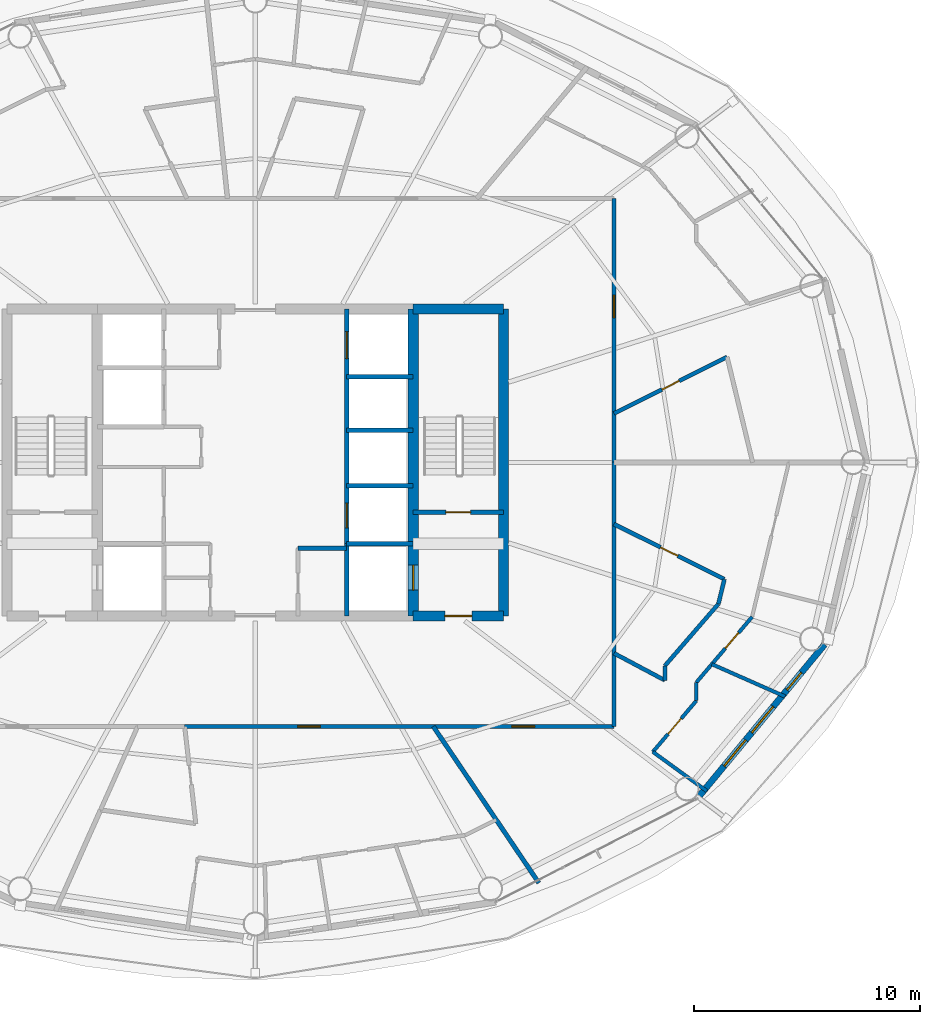
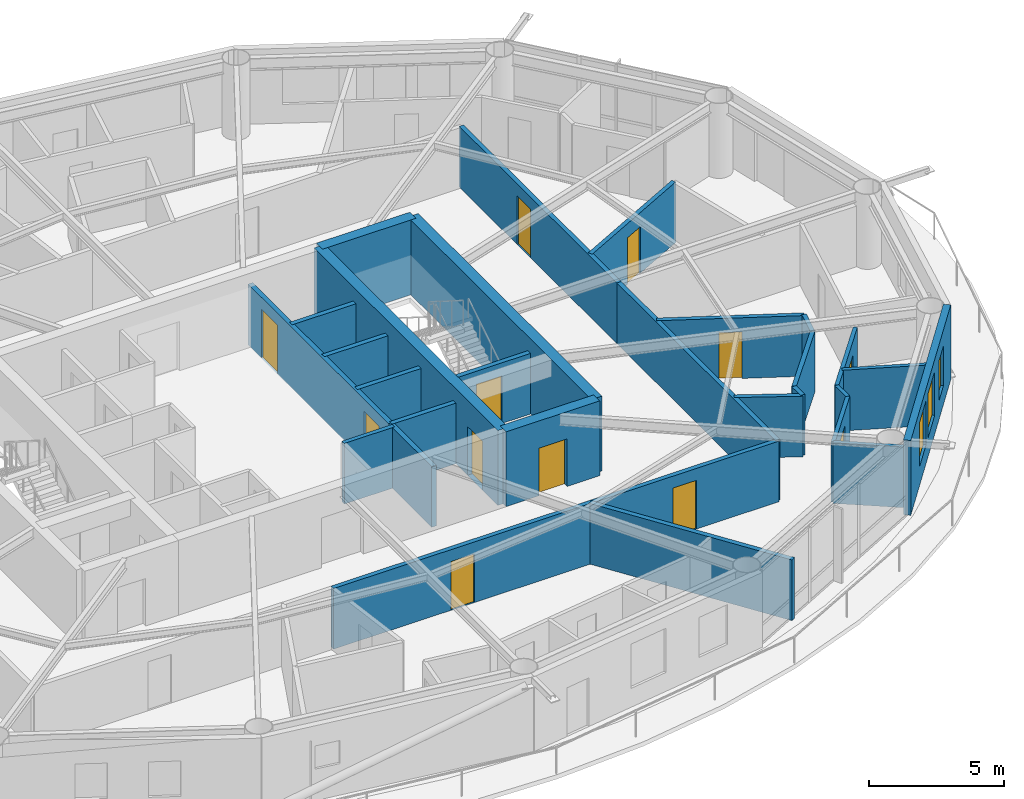
# One storey, part 23 of 29: 28 walls, 12 doors, 3 windows, 15 openings.
"""IFC4 building model written with IfcOpenShell, lengths in metres."""

import ifcopenshell
import ifcopenshell.guid

model = None  # the IFC model being written
_history = None  # IfcOwnerHistory: only IFC2X3 demands one
_inside = {}  # id of a spatial element -> (the spatial element, [elements in it])
_under = {}  # id of a project, library or spatial element -> (it, [spatial elements below it])
_declared = {}  # id of a project -> (the project, [libraries it declares])
_typed = {}  # id of a type object -> (the type object, [elements of that type])
_made_of = {}  # id of a material, layer set ... -> (it, [elements and type objects made of it])


def new_model(schema):
    """Start an empty IFC model of exactly this schema.

    Asked for "IFC4X3", IfcOpenShell would pick the latest addendum, in which some entities
    have other attributes; the version numbers below select the first issue.
    IFC2X3 requires an IfcOwnerHistory on every rooted entity: one is made here for all.
    """
    global model, _history
    if schema == "IFC4X3":
        model = ifcopenshell.file(schema_version=(4, 3, 0, 0))
    else:
        model = ifcopenshell.file(schema=schema)
    _inside.clear()
    _under.clear()
    _declared.clear()
    _typed.clear()
    _made_of.clear()
    _history = None
    if model.schema == "IFC2X3":
        org = make("IfcOrganization", Name="unknown")
        user = make(
            "IfcPersonAndOrganization",
            ThePerson=make("IfcPerson", FamilyName="unknown"),
            TheOrganization=org,
        )
        app = make(
            "IfcApplication",
            ApplicationDeveloper=org,
            Version="unknown",
            ApplicationFullName="unknown",
            ApplicationIdentifier="unknown",
        )
        _history = make(
            "IfcOwnerHistory",
            OwningUser=user,
            OwningApplication=app,
            ChangeAction="ADDED",
            CreationDate=0,
        )
    return model


def make(cls, **values):
    """One entity of the class cls with the attributes given. An attribute that is None is left unset."""
    return model.create_entity(
        cls, **{name: value for name, value in values.items() if value is not None}
    )


def rooted(cls, **values):
    """An entity with a GlobalId (a new one), such as an element, a storey or a relation."""
    return make(cls, GlobalId=ifcopenshell.guid.new(), OwnerHistory=_history, **values)


def si_unit(unit_type, name, prefix=None):
    """IfcSIUnit, for example si_unit("LENGTHUNIT", "METRE", prefix="MILLI")."""
    return make("IfcSIUnit", UnitType=unit_type, Prefix=prefix, Name=name)


def assignment(units):
    """IfcUnitAssignment: the units of a project."""
    return None if units is None else make("IfcUnitAssignment", Units=units)


def point(xyz):
    """IfcCartesianPoint."""
    return None if xyz is None else make("IfcCartesianPoint", Coordinates=xyz)


def direction(xyz):
    """IfcDirection."""
    return None if xyz is None else make("IfcDirection", DirectionRatios=xyz)


def frame(location, z_axis=None, x_axis=None):
    """IfcAxis2Placement3D, a coordinate frame: its origin and axes. An axis left out is left unset."""
    return make(
        "IfcAxis2Placement3D",
        Location=point(location),
        Axis=direction(z_axis),
        RefDirection=direction(x_axis),
    )


def frame_2d(location, x_axis=None):
    """IfcAxis2Placement2D, a coordinate frame in the plane: its origin and x axis."""
    return make(
        "IfcAxis2Placement2D", Location=point(location), RefDirection=direction(x_axis)
    )


def origin():
    """The frame at (0, 0, 0) with its axes left unset."""
    return frame((0.0, 0.0, 0.0))


def place(relative_to, where):
    """IfcLocalPlacement: puts the frame where relative to a parent placement (None: the world)."""
    return make(
        "IfcLocalPlacement", PlacementRelTo=relative_to, RelativePlacement=where
    )


def context(
    kind, dimensions, precision=None, world=None, true_north=None, identifier=None
):
    """IfcGeometricRepresentationContext, for example the 3D "Model" context."""
    return make(
        "IfcGeometricRepresentationContext",
        ContextIdentifier=identifier,
        ContextType=kind,
        CoordinateSpaceDimension=dimensions,
        Precision=precision,
        WorldCoordinateSystem=world,
        TrueNorth=true_north,
    )


def subcontext(parent, identifier, kind, view, scale=None):
    """IfcGeometricRepresentationSubContext, for example "Body" below "Model"."""
    return make(
        "IfcGeometricRepresentationSubContext",
        ContextIdentifier=identifier,
        ContextType=kind,
        ParentContext=parent,
        TargetScale=scale,
        TargetView=view,
    )


def project(units=None, contexts=None):
    """IfcProject with its units and contexts."""
    return rooted(
        "IfcProject",
        Name="project",
        RepresentationContexts=contexts,
        UnitsInContext=assignment(units),
    )


def spatial(cls, under=None, at=None, **own):
    """A site, building, storey or space (cls), placed at a placement, below another one or the project."""
    s = rooted(cls, ObjectPlacement=at, **own)
    if under is not None:
        _under.setdefault(under.id(), (under, []))[1].append(s)
    return s


def profile(cls, at=None, kind="AREA", **sizes):
    """A parametric profile (cls). Its sizes go by their IFC names, for example OverallWidth=200.0."""
    return make(cls, ProfileType=kind, Position=at, **sizes)


def rectangle(**sizes):
    """IfcRectangleProfileDef."""
    return profile("IfcRectangleProfileDef", **sizes)


def extrude(swept, where, along, depth):
    """IfcExtrudedAreaSolid: the profile swept, set in the frame where, extruded along a direction by depth."""
    return make(
        "IfcExtrudedAreaSolid",
        SweptArea=swept,
        Position=where,
        ExtrudedDirection=direction(along),
        Depth=depth,
    )


def shape(context_of_items, identifier, shape_type, items):
    """IfcShapeRepresentation: the items that make up one representation, for example the "Body"."""
    return make(
        "IfcShapeRepresentation",
        ContextOfItems=context_of_items,
        RepresentationIdentifier=identifier,
        RepresentationType=shape_type,
        Items=items,
    )


def material(Name=None, Category=None):
    """IfcMaterial."""
    return make("IfcMaterial", Name=Name, Category=Category)


def layer(
    of_material, thickness, ventilated=None, Name=None, Category=None, Priority=None
):
    """IfcMaterialLayer: one layer of a wall or slab, of a material (None: an air gap)."""
    return make(
        "IfcMaterialLayer",
        Material=of_material,
        LayerThickness=thickness,
        IsVentilated=ventilated,
        Name=Name,
        Category=Category,
        Priority=Priority,
    )


def layer_set(layers, Name=None):
    """IfcMaterialLayerSet."""
    return make("IfcMaterialLayerSet", MaterialLayers=layers, LayerSetName=Name)


def made_of(thing, what):
    """Note that an element or type object is made of a material, layer set ...; save() writes the relation."""
    if what is not None:
        _made_of.setdefault(what.id(), (what, []))[1].append(thing)
    return thing


def type_object(cls, material=None, **own):
    """A type object (cls), such as IfcWallType, which elements share."""
    return made_of(rooted(cls, **own), material)


def element(
    cls,
    number,
    at=None,
    inside=None,
    cuts=None,
    type_object=None,
    material=None,
    context=None,
    identifier="Body",
    shape_type=None,
    held_by="IfcProductDefinitionShape",
    body=None,
    shapes=None,
    **own,
):
    """One element of the class cls, such as IfcWall. Its Tag is "e" and its number.

    at: its placement. inside: the storey or other place that contains it. cuts: it is an
    opening in that element (IfcRelVoidsElement). A single representation is given by context,
    identifier, shape_type and body (its items); several are given by shapes. held_by: the class
    of the entity that holds the representations. save() writes the other relations.
    """
    e = rooted(cls, Tag="e%d" % number, ObjectPlacement=at, **own)
    if body is not None:
        shapes = [shape(context, identifier, shape_type, body)]
    if shapes is not None:
        e.Representation = make(held_by, Representations=shapes)
    if inside is not None:
        _inside.setdefault(inside.id(), (inside, []))[1].append(e)
    if cuts is not None:
        rooted(
            "IfcRelVoidsElement", RelatingBuildingElement=cuts, RelatedOpeningElement=e
        )
    if type_object is not None:
        _typed.setdefault(type_object.id(), (type_object, []))[1].append(e)
    return made_of(e, material)


def fill(opening, filler):
    """IfcRelFillsElement: the door or window that sits in an opening."""
    return rooted(
        "IfcRelFillsElement",
        RelatingOpeningElement=opening,
        RelatedBuildingElement=filler,
    )


def aggregate(whole, parts):
    """IfcRelAggregates: a whole, such as a stair, and the parts it consists of."""
    return rooted("IfcRelAggregates", RelatingObject=whole, RelatedObjects=parts)


def save(model, path):
    """Write the relations noted so far, then the file.

    IfcRelAggregates (storeys below a building ...), IfcRelContainedInSpatialStructure (elements
    in a storey), IfcRelDefinesByType, IfcRelAssociatesMaterial and IfcRelDeclares: one each for
    every whole, place, type object, material and project.
    """
    for whole, parts in _under.values():
        aggregate(whole, parts)
    for where, things in _inside.values():
        rooted(
            "IfcRelContainedInSpatialStructure",
            RelatedElements=things,
            RelatingStructure=where,
        )
    for kind, things in _typed.values():
        rooted("IfcRelDefinesByType", RelatedObjects=things, RelatingType=kind)
    for what, things in _made_of.values():
        rooted("IfcRelAssociatesMaterial", RelatedObjects=things, RelatingMaterial=what)
    for by, libraries in _declared.values():
        rooted("IfcRelDeclares", RelatingContext=by, RelatedDefinitions=libraries)
    model.write(path)


model = new_model("IFC4")

# Units and contexts
model_context = context("Model", 3, precision=1e-05, world=origin(), true_north=direction((0.0, 1.0)))
body_context = subcontext(model_context, "Body", "Model", "MODEL_VIEW")
ifc_project = project(units=[si_unit("LENGTHUNIT", "METRE"), si_unit("AREAUNIT", "SQUARE_METRE"), si_unit("VOLUMEUNIT", "CUBIC_METRE"), si_unit("PLANEANGLEUNIT", "RADIAN"), si_unit("MASSUNIT", "GRAM", prefix="KILO")], contexts=[model_context])

# Site, building, storey
site_placement = place(None, origin())
site = spatial("IfcSite", under=ifc_project, at=site_placement, CompositionType="ELEMENT")
building_placement = place(site_placement, origin())
building = spatial("IfcBuilding", under=site, at=building_placement, Name="Sarneth Arch Tower", CompositionType="ELEMENT")
storey_placement = place(building_placement, frame((0.0, 0.0, 175.800048828125)))
storey = spatial("IfcBuildingStorey", under=building, at=storey_placement, Name="L44", CompositionType="ELEMENT", Elevation=175.800048828125)

# Wall, opening, door
ifc_material_1 = material(Name="Concrete C50/60", Category="concrete")
ifc_layer_1 = layer(ifc_material_1, 0.449951171875)
ifc_layer_set_1 = layer_set([ifc_layer_1], Name="Concrete C50/60")
wall_type_1 = type_object("IfcWallType", Name="WALL-CORE-450", PredefinedType="SHEAR", material=ifc_layer_set_1)
wall_1_placement = place(storey_placement, frame((55.0, 35.199951171875, 0.0), z_axis=(0.0, 0.0, 1.0), x_axis=(1.0, 0.0, 0.0)))
wall_1 = element("IfcWall", 1, at=wall_1_placement, inside=storey, type_object=wall_type_1, Name="L44 Core shear wall S-E", PredefinedType="SHEAR", context=body_context, shape_type="SweptSolid", body=[
    extrude(rectangle(XDim=4.0, YDim=0.449951171875, at=frame_2d((2.0, 0.0))), origin(), (0.0, 0.0, 1.0), 3.3798828125),
])
opening_1_placement = place(wall_1_placement, frame((1.39990234375, 0.0, 0.0)))
opening_1 = element("IfcOpeningElement", 2, at=opening_1_placement, cuts=wall_1, Name="Opening FD-02", PredefinedType="OPENING", context=body_context, shape_type="SweptSolid", body=[
    extrude(rectangle(XDim=1.199951171875, YDim=2.14990234375, at=frame_2d((0.60009765625, 1.074951171875))), frame((0.0, 0.23486328125, 0.0), z_axis=(0.0, -1.0, 0.0), x_axis=(1.0, 0.0, 0.0)), (0.0, 0.0, 1.0), 0.469970703125),
])
ifc_material_2 = material(Name="Galvanised Steel S275 fire door set", Category="steel")
door_type_1 = type_object("IfcDoorType", Name="DR-FD90-1200", OperationType="SINGLE_SWING_LEFT", PredefinedType="DOOR", material=ifc_material_2)
door_1_placement = place(opening_1_placement, origin())
door_1 = element("IfcDoor", 3, at=door_1_placement, inside=storey, type_object=door_type_1, Name="L44 Firefighting lobby 2 exit door", OperationType="SINGLE_SWING_RIGHT", OverallHeight=2.14990234375, OverallWidth=1.199951171875, PredefinedType="DOOR", context=body_context, shape_type="SweptSolid", body=[
    extrude(rectangle(XDim=1.199951171875, YDim=2.14990234375, at=frame_2d((0.60009765625, 1.074951171875))), frame((0.0, 0.02490234375, 0.0), z_axis=(0.0, -1.0, 0.0), x_axis=(1.0, 0.0, 0.0)), (0.0, 0.0, 1.0), 0.050048828125),
])
fill(opening_1, door_1)

# Walls
wall_2_placement = place(storey_placement, frame((55.0, 48.800048828125, 0.0), z_axis=(0.0, 0.0, 1.0), x_axis=(1.0, 0.0, 0.0)))
element("IfcWall", 4, at=wall_2_placement, inside=storey, type_object=wall_type_1, Name="L44 Core shear wall N-E", PredefinedType="SHEAR", context=body_context, shape_type="SweptSolid", body=[
    extrude(rectangle(XDim=4.0, YDim=0.449951171875, at=frame_2d((2.0, 0.0))), origin(), (0.0, 0.0, 1.0), 3.3798828125),
])
wall_3_placement = place(storey_placement, frame((59.0, 35.199951171875, 0.0), z_axis=(0.0, 0.0, 1.0), x_axis=(0.0, 1.0, 0.0)))
element("IfcWall", 5, at=wall_3_placement, inside=storey, type_object=wall_type_1, Name="L44 Core shear wall E", PredefinedType="SHEAR", context=body_context, shape_type="SweptSolid", body=[
    extrude(rectangle(XDim=13.60009765625, YDim=0.449951171875, at=frame_2d((6.800048828125, 0.0))), origin(), (0.0, 0.0, 1.0), 3.3798828125),
])

# Wall, opening, door
wall_4_placement = place(storey_placement, frame((55.0, 35.199951171875, 0.0), z_axis=(0.0, 0.0, 1.0), x_axis=(0.0, 1.0, 0.0)))
wall_4 = element("IfcWall", 6, at=wall_4_placement, inside=storey, type_object=wall_type_1, Name="L44 Core shear wall WEB-E", PredefinedType="SHEAR", context=body_context, shape_type="SweptSolid", body=[
    extrude(rectangle(XDim=13.60009765625, YDim=0.449951171875, at=frame_2d((6.800048828125, 0.0))), origin(), (0.0, 0.0, 1.0), 3.3798828125),
])
opening_2_placement = place(wall_4_placement, frame((1.14990234375, 0.0, 0.0)))
opening_2 = element("IfcOpeningElement", 7, at=opening_2_placement, cuts=wall_4, Name="Opening LD-1", PredefinedType="OPENING", context=body_context, shape_type="SweptSolid", body=[
    extrude(rectangle(XDim=1.10009765625, YDim=2.199951171875, at=frame_2d((0.550048828125, 1.10009765625))), frame((0.0, 0.23486328125, 0.0), z_axis=(0.0, -1.0, 0.0), x_axis=(1.0, 0.0, 0.0)), (0.0, 0.0, 1.0), 0.469970703125),
])
ifc_material_3 = material(Name="Brushed Stainless Steel 304 lift landing door", Category="steel")
door_type_2 = type_object("IfcDoorType", Name="DR-LIFT-SLIDE-1100", OperationType="SLIDING_TO_LEFT", PredefinedType="DOOR", material=ifc_material_3)
door_2_placement = place(opening_2_placement, origin())
door_2 = element("IfcDoor", 8, at=door_2_placement, inside=storey, type_object=door_type_2, Name="L44 Firefighting lift landing door FL-2", OperationType="SLIDING_TO_RIGHT", OverallHeight=2.199951171875, OverallWidth=1.10009765625, PredefinedType="DOOR", context=body_context, shape_type="SweptSolid", body=[
    extrude(rectangle(XDim=1.10009765625, YDim=2.199951171875, at=frame_2d((0.550048828125, 1.10009765625))), frame((0.0, 0.02490234375, 0.0), z_axis=(0.0, -1.0, 0.0), x_axis=(1.0, 0.0, 0.0)), (0.0, 0.0, 1.0), 0.050048828125),
])
fill(opening_2, door_2)

# Wall, openings, doors
ifc_material_4 = material(Name="Double steel-stud corridor fire wall", Category="steel")
ifc_layer_2 = layer(ifc_material_4, 0.18994140625)
ifc_layer_set_2 = layer_set([ifc_layer_2], Name="Double steel-stud corridor fire wall")
wall_type_2 = type_object("IfcWallType", Name="WALL-CORR-190", PredefinedType="PARTITIONING", material=ifc_layer_set_2)
wall_5_placement = place(storey_placement, frame((44.872802734375, 30.300048828125, 0.0), z_axis=(0.0, 0.0, 1.0), x_axis=(1.0, 0.0, 0.0)))
wall_5 = element("IfcWall", 9, at=wall_5_placement, inside=storey, type_object=wall_type_2, Name="L44 Interior partition W-L44-TP-015", PredefinedType="PARTITIONING", context=body_context, shape_type="SweptSolid", body=[
    extrude(rectangle(XDim=19.027099609375, YDim=0.18994140625, at=frame_2d((9.513671875, 0.0))), origin(), (0.0, 0.0, 1.0), 2.739990234375),
])
opening_3_placement = place(wall_5_placement, frame((5.009521484375, 0.0, 0.0)))
opening_3 = element("IfcOpeningElement", 10, at=opening_3_placement, cuts=wall_5, Name="Opening FD-08", PredefinedType="OPENING", context=body_context, shape_type="SweptSolid", body=[
    extrude(rectangle(XDim=1.0, YDim=2.199951171875, at=frame_2d((0.5, 1.10009765625))), frame((0.0, 0.10498046875, 0.0), z_axis=(0.0, -1.0, 0.0), x_axis=(1.0, 0.0, 0.0)), (0.0, 0.0, 1.0), 0.2099609375),
])
opening_4_placement = place(wall_5_placement, frame((14.503662109375, 0.0, 0.0)))
opening_4 = element("IfcOpeningElement", 11, at=opening_4_placement, cuts=wall_5, Name="Opening FD-08", PredefinedType="OPENING", context=body_context, shape_type="SweptSolid", body=[
    extrude(rectangle(XDim=1.0, YDim=2.199951171875, at=frame_2d((0.5, 1.10009765625))), frame((0.0, 0.10498046875, 0.0), z_axis=(0.0, -1.0, 0.0), x_axis=(1.0, 0.0, 0.0)), (0.0, 0.0, 1.0), 0.2099609375),
])
ifc_material_5 = material(Name="Hardwood timber acoustic fire door", Category="wood")
door_type_3 = type_object("IfcDoorType", Name="DR-FD60-1000", OperationType="SINGLE_SWING_LEFT", PredefinedType="DOOR", material=ifc_material_5)
door_3_placement = place(opening_3_placement, origin())
door_3 = element("IfcDoor", 12, at=door_3_placement, inside=storey, type_object=door_type_3, Name="L44 Interior door DR-L44-U6-ENT", OperationType="SINGLE_SWING_LEFT", OverallHeight=2.199951171875, OverallWidth=1.0, PredefinedType="DOOR", context=body_context, shape_type="SweptSolid", body=[
    extrude(rectangle(XDim=1.0, YDim=2.199951171875, at=frame_2d((0.5, 1.10009765625))), frame((0.0, 0.02490234375, 0.0), z_axis=(0.0, -1.0, 0.0), x_axis=(1.0, 0.0, 0.0)), (0.0, 0.0, 1.0), 0.050048828125),
])
fill(opening_3, door_3)
door_4_placement = place(opening_4_placement, origin())
door_4 = element("IfcDoor", 13, at=door_4_placement, inside=storey, type_object=door_type_3, Name="L44 Interior door DR-L44-U7-ENT", OperationType="SINGLE_SWING_LEFT", OverallHeight=2.199951171875, OverallWidth=1.0, PredefinedType="DOOR", context=body_context, shape_type="SweptSolid", body=[
    extrude(rectangle(XDim=1.0, YDim=2.199951171875, at=frame_2d((0.5, 1.10009765625))), frame((0.0, 0.02490234375, 0.0), z_axis=(0.0, -1.0, 0.0), x_axis=(1.0, 0.0, 0.0)), (0.0, 0.0, 1.0), 0.050048828125),
])
fill(opening_4, door_4)

# Wall, opening, door
wall_6_placement = place(storey_placement, frame((63.89990234375, 53.699951171875, 0.0), z_axis=(0.0, 0.0, 1.0), x_axis=(0.0, -1.0, 0.0)))
wall_6 = element("IfcWall", 14, at=wall_6_placement, inside=storey, type_object=wall_type_2, Name="L44 Interior partition W-L44-TP-002", PredefinedType="PARTITIONING", context=body_context, shape_type="SweptSolid", body=[
    extrude(rectangle(XDim=11.73193359375, YDim=0.18994140625, at=frame_2d((5.865966796875, 0.0))), origin(), (0.0, 0.0, 1.0), 2.739990234375),
])
opening_5_placement = place(wall_6_placement, frame((4.280517578125, 0.0, 0.0)))
opening_5 = element("IfcOpeningElement", 15, at=opening_5_placement, cuts=wall_6, Name="Opening FD-08", PredefinedType="OPENING", context=body_context, shape_type="SweptSolid", body=[
    extrude(rectangle(XDim=1.0, YDim=2.199951171875, at=frame_2d((0.5, 1.10009765625))), frame((0.0, 0.10498046875, 0.0), z_axis=(0.0, -1.0, 0.0), x_axis=(1.0, 0.0, 0.0)), (0.0, 0.0, 1.0), 0.2099609375),
])
door_5_placement = place(opening_5_placement, origin())
door_5 = element("IfcDoor", 16, at=door_5_placement, inside=storey, type_object=door_type_3, Name="L44 Interior door DR-L44-U1-ENT", OperationType="SINGLE_SWING_LEFT", OverallHeight=2.199951171875, OverallWidth=1.0, PredefinedType="DOOR", context=body_context, shape_type="SweptSolid", body=[
    extrude(rectangle(XDim=1.0, YDim=2.199951171875, at=frame_2d((0.5, 1.10009765625))), frame((0.0, 0.02490234375, 0.0), z_axis=(0.0, -1.0, 0.0), x_axis=(1.0, 0.0, 0.0)), (0.0, 0.0, 1.0), 0.050048828125),
])
fill(opening_5, door_5)

# Wall
wall_7_placement = place(storey_placement, frame((63.89990234375, 42.031982421875, 0.0), z_axis=(0.0, 0.0, 1.0), x_axis=(0.0, -1.0, 0.0)))
element("IfcWall", 17, at=wall_7_placement, inside=storey, type_object=wall_type_2, Name="L44 Interior partition W-L44-TP-020", PredefinedType="PARTITIONING", context=body_context, shape_type="SweptSolid", body=[
    extrude(rectangle(XDim=11.73193359375, YDim=0.18994140625, at=frame_2d((5.865966796875, 0.0))), origin(), (0.0, 0.0, 1.0), 2.739990234375),
])

# Wall, openings, windows
ifc_material_6 = material(Name="Extruded terracotta rainscreen on Concrete C40/50 backing", Category="masonry")
ifc_layer_3 = layer(ifc_material_6, 0.280029296875)
ifc_layer_set_3 = layer_set([ifc_layer_3], Name="Extruded terracotta rainscreen on Concrete C40/50 backing")
wall_type_3 = type_object("IfcWallType", Name="WALL-EXT-TERRA-280", PredefinedType="SOLIDWALL", material=ifc_layer_set_3)
wall_8_placement = place(storey_placement, frame((67.576171875, 27.09423828125, 0.0), z_axis=(0.0, 0.0, 1.0), x_axis=(0.637333477683, 0.770588111915, 0.0)))
wall_8 = element("IfcWall", 18, at=wall_8_placement, inside=storey, type_object=wall_type_3, Name="L44 Terracotta perimeter wall 15", PredefinedType="SOLIDWALL", context=body_context, shape_type="SweptSolid", body=[
    extrude(rectangle(XDim=8.874755859375, YDim=0.280029296875, at=frame_2d((4.4375, 0.0))), origin(), (0.0, 0.0, 1.0), 3.3798828125),
])
opening_6_placement = place(wall_8_placement, frame((1.885009765625, 0.0, 0.85009765625)))
opening_6 = element("IfcOpeningElement", 19, at=opening_6_placement, cuts=wall_8, Name="Opening W-06", PredefinedType="OPENING", context=body_context, shape_type="SweptSolid", body=[
    extrude(rectangle(XDim=1.5, YDim=2.0, at=frame_2d((0.75, 1.0))), frame((0.0, 0.14990234375, 0.0), z_axis=(0.0, -1.0, 0.0), x_axis=(1.0, 0.0, 0.0)), (0.0, 0.0, 1.0), 0.300048828125),
])
opening_7_placement = place(wall_8_placement, frame((3.80859375, 0.0, 0.85009765625)))
opening_7 = element("IfcOpeningElement", 20, at=opening_7_placement, cuts=wall_8, Name="Opening W-06", PredefinedType="OPENING", context=body_context, shape_type="SweptSolid", body=[
    extrude(rectangle(XDim=1.5, YDim=2.0, at=frame_2d((0.75, 1.0))), frame((0.0, 0.14990234375, 0.0), z_axis=(0.0, -1.0, 0.0), x_axis=(1.0, 0.0, 0.0)), (0.0, 0.0, 1.0), 0.300048828125),
])
opening_8_placement = place(wall_8_placement, frame((6.2646484375, 0.0, 0.85009765625)))
opening_8 = element("IfcOpeningElement", 21, at=opening_8_placement, cuts=wall_8, Name="Opening W-11", PredefinedType="OPENING", context=body_context, shape_type="SweptSolid", body=[
    extrude(rectangle(XDim=1.0, YDim=1.800048828125, at=frame_2d((0.5, 0.89990234375))), frame((0.0, 0.14990234375, 0.0), z_axis=(0.0, -1.0, 0.0), x_axis=(1.0, 0.0, 0.0)), (0.0, 0.0, 1.0), 0.300048828125),
])
ifc_material_7 = material(Name="Thermally broken Aluminium 6063-T6 and low-e laminated IGU", Category="aluminium")
window_type_1 = type_object("IfcWindowType", Name="WIN-TWR-1000x1800", PartitioningType="SINGLE_PANEL", PredefinedType="WINDOW", material=ifc_material_7)
window_1_placement = place(opening_8_placement, origin())
window_1 = element("IfcWindow", 22, at=window_1_placement, inside=storey, type_object=window_type_1, Name="L44 Exterior window 15C", OverallHeight=1.800048828125, OverallWidth=1.0, PartitioningType="SINGLE_PANEL", PredefinedType="WINDOW", context=body_context, shape_type="SweptSolid", body=[
    extrude(rectangle(XDim=1.0, YDim=1.800048828125, at=frame_2d((0.5, 0.89990234375))), frame((0.0, 0.030029296875, 0.0), z_axis=(0.0, -1.0, 0.0), x_axis=(1.0, 0.0, 0.0)), (0.0, 0.0, 1.0), 0.06005859375),
])
fill(opening_8, window_1)
ifc_material_8 = material(Name="Thermally broken Aluminium 6063-T6 and low-e laminated IGU", Category="aluminium")
window_type_2 = type_object("IfcWindowType", Name="WIN-TWR-1500x2000", PartitioningType="SINGLE_PANEL", PredefinedType="WINDOW", material=ifc_material_8)
window_2_placement = place(opening_6_placement, origin())
window_2 = element("IfcWindow", 23, at=window_2_placement, inside=storey, type_object=window_type_2, Name="L44 Exterior window 15A", OverallHeight=2.0, OverallWidth=1.5, PartitioningType="SINGLE_PANEL", PredefinedType="WINDOW", context=body_context, shape_type="SweptSolid", body=[
    extrude(rectangle(XDim=1.5, YDim=2.0, at=frame_2d((0.75, 1.0))), frame((0.0, 0.030029296875, 0.0), z_axis=(0.0, -1.0, 0.0), x_axis=(1.0, 0.0, 0.0)), (0.0, 0.0, 1.0), 0.06005859375),
])
fill(opening_6, window_2)
window_3_placement = place(opening_7_placement, origin())
window_3 = element("IfcWindow", 24, at=window_3_placement, inside=storey, type_object=window_type_2, Name="L44 Exterior window 15B", OverallHeight=2.0, OverallWidth=1.5, PartitioningType="SINGLE_PANEL", PredefinedType="WINDOW", context=body_context, shape_type="SweptSolid", body=[
    extrude(rectangle(XDim=1.5, YDim=2.0, at=frame_2d((0.75, 1.0))), frame((0.0, 0.030029296875, 0.0), z_axis=(0.0, -1.0, 0.0), x_axis=(1.0, 0.0, 0.0)), (0.0, 0.0, 1.0), 0.06005859375),
])
fill(opening_7, window_3)

# Wall
ifc_material_9 = material(Name="Kitchen wet service chase wall", Category="gypsum")
ifc_layer_4 = layer(ifc_material_9, 0.159912109375)
ifc_layer_set_4 = layer_set([ifc_layer_4], Name="Kitchen wet service chase wall")
wall_type_4 = type_object("IfcWallType", Name="WALL-PLUMB-160", PredefinedType="PLUMBINGWALL", material=ifc_layer_set_4)
wall_9_placement = place(storey_placement, frame((71.477783203125, 31.63037109375, 0.0), z_axis=(0.0, 0.0, 1.0), x_axis=(-0.914752340799, 0.40401504304, 0.0)))
element("IfcWall", 25, at=wall_9_placement, inside=storey, type_object=wall_type_4, Name="L44 Interior partition W-L44-TP-111", PredefinedType="PLUMBINGWALL", context=body_context, shape_type="SweptSolid", body=[
    extrude(rectangle(XDim=3.54345703125, YDim=0.159912109375, at=frame_2d((1.771728515625, 0.0))), origin(), (0.0, 0.0, 1.0), 2.739990234375),
])

# Wall, opening, door
wall_10_placement = place(storey_placement, frame((67.550048828125, 31.443359375, 0.0), z_axis=(0.0, 0.0, 1.0), x_axis=(-0.647915118337, -0.761712543832, 0.0)))
wall_10 = element("IfcWall", 26, at=wall_10_placement, inside=storey, type_object=wall_type_4, Name="L44 Interior partition W-L44-TP-101", PredefinedType="PLUMBINGWALL", context=body_context, shape_type="SweptSolid", body=[
    extrude(rectangle(XDim=2.9755859375, YDim=0.159912109375, at=frame_2d((1.48779296875, 0.0))), origin(), (0.0, 0.0, 1.0), 2.739990234375),
])
opening_9_placement = place(wall_10_placement, frame((1.037841796875, 0.0, 0.0)))
opening_9 = element("IfcOpeningElement", 27, at=opening_9_placement, cuts=wall_10, Name="Opening ID-01", PredefinedType="OPENING", context=body_context, shape_type="SweptSolid", body=[
    extrude(rectangle(XDim=0.89990234375, YDim=2.10009765625, at=frame_2d((0.449951171875, 1.050048828125))), frame((0.0, 0.08984375, 0.0), z_axis=(0.0, -1.0, 0.0), x_axis=(1.0, 0.0, 0.0)), (0.0, 0.0, 1.0), 0.179931640625),
])
ifc_material_10 = material(Name="Engineered hardwood flush door", Category="wood")
door_type_4 = type_object("IfcDoorType", Name="DR-INT-900", OperationType="SINGLE_SWING_LEFT", PredefinedType="DOOR", material=ifc_material_10)
door_6_placement = place(opening_9_placement, origin())
door_6 = element("IfcDoor", 28, at=door_6_placement, inside=storey, type_object=door_type_4, Name="L44 Interior door DR-L44-U7-KIT", OperationType="SINGLE_SWING_LEFT", OverallHeight=2.10009765625, OverallWidth=0.89990234375, PredefinedType="DOOR", context=body_context, shape_type="SweptSolid", body=[
    extrude(rectangle(XDim=0.89990234375, YDim=2.10009765625, at=frame_2d((0.449951171875, 1.050048828125))), frame((0.0, 0.02490234375, 0.0), z_axis=(0.0, -1.0, 0.0), x_axis=(1.0, 0.0, 0.0)), (0.0, 0.0, 1.0), 0.050048828125),
])
fill(opening_9, door_6)

# Wall
wall_11_placement = place(storey_placement, frame((65.6220703125, 29.1767578125, 0.0), z_axis=(0.0, 0.0, 1.0), x_axis=(0.808600464561, -0.588358129638, 0.0)))
element("IfcWall", 29, at=wall_11_placement, inside=storey, type_object=wall_type_4, Name="L44 Interior partition W-L44-TP-102", PredefinedType="PLUMBINGWALL", context=body_context, shape_type="SweptSolid", body=[
    extrude(rectangle(XDim=2.95849609375, YDim=0.159912109375, at=frame_2d((1.479248046875, 0.0))), origin(), (0.0, 0.0, 1.0), 2.739990234375),
])

# Wall, opening, door
wall_12_placement = place(storey_placement, frame((67.550048828125, 32.255615234375, 0.0), z_axis=(0.0, 0.0, 1.0), x_axis=(0.648059335437, 0.761589848773, 0.0)))
wall_12 = element("IfcWall", 30, at=wall_12_placement, inside=storey, type_object=wall_type_4, Name="L44 Interior partition W-L44-TP-108", PredefinedType="PLUMBINGWALL", context=body_context, shape_type="SweptSolid", body=[
    extrude(rectangle(XDim=3.810546875, YDim=0.159912109375, at=frame_2d((1.9052734375, 0.0))), origin(), (0.0, 0.0, 1.0), 2.739990234375),
])
opening_10_placement = place(wall_12_placement, frame((1.98486328125, 0.0, 0.0)))
opening_10 = element("IfcOpeningElement", 31, at=opening_10_placement, cuts=wall_12, Name="Opening ID-01", PredefinedType="OPENING", context=body_context, shape_type="SweptSolid", body=[
    extrude(rectangle(XDim=0.89990234375, YDim=2.10009765625, at=frame_2d((0.449951171875, 1.050048828125))), frame((0.0, 0.08984375, 0.0), z_axis=(0.0, -1.0, 0.0), x_axis=(1.0, 0.0, 0.0)), (0.0, 0.0, 1.0), 0.179931640625),
])
door_7_placement = place(opening_10_placement, origin())
door_7 = element("IfcDoor", 32, at=door_7_placement, inside=storey, type_object=door_type_4, Name="L44 Interior door DR-L44-U7-BED1", OperationType="SINGLE_SWING_RIGHT", OverallHeight=2.10009765625, OverallWidth=0.89990234375, PredefinedType="DOOR", context=body_context, shape_type="SweptSolid", body=[
    extrude(rectangle(XDim=0.89990234375, YDim=2.10009765625, at=frame_2d((0.449951171875, 1.050048828125))), frame((0.0, 0.02490234375, 0.0), z_axis=(0.0, -1.0, 0.0), x_axis=(1.0, 0.0, 0.0)), (0.0, 0.0, 1.0), 0.050048828125),
])
fill(opening_10, door_7)

# Walls
wall_13_placement = place(storey_placement, frame((67.550048828125, 32.255615234375, 0.0), z_axis=(0.0, 0.0, 1.0), x_axis=(0.0, -1.0, 0.0)))
element("IfcWall", 33, at=wall_13_placement, inside=storey, type_object=wall_type_4, Name="L44 Interior partition W-L44-TP-100", PredefinedType="PLUMBINGWALL", context=body_context, shape_type="SweptSolid", body=[
    extrude(rectangle(XDim=0.812255859375, YDim=0.159912109375, at=frame_2d((0.40625, 0.0))), origin(), (0.0, 0.0, 1.0), 2.739990234375),
])
ifc_material_11 = material(Name="Moisture-resistant plumbing chase wall", Category="gypsum")
ifc_layer_5 = layer(ifc_material_11, 0.179931640625)
ifc_layer_set_5 = layer_set([ifc_layer_5], Name="Moisture-resistant plumbing chase wall")
wall_type_5 = type_object("IfcWallType", Name="WALL-PLUMB-180", PredefinedType="PLUMBINGWALL", material=ifc_layer_set_5)
wall_14_placement = place(storey_placement, frame((49.89990234375, 38.199951171875, 0.0), z_axis=(0.0, 0.0, 1.0), x_axis=(1.0, 0.0, 0.0)))
element("IfcWall", 34, at=wall_14_placement, inside=storey, type_object=wall_type_5, Name="L44 Interior partition W-L44-AWC-N", PredefinedType="PLUMBINGWALL", context=body_context, shape_type="SweptSolid", body=[
    extrude(rectangle(XDim=2.150146484375, YDim=0.179931640625, at=frame_2d((1.0751953125, 0.0))), origin(), (0.0, 0.0, 1.0), 2.739990234375),
])

# Wall, opening, door
wall_15_placement = place(storey_placement, frame((63.89990234375, 44.174560546875, 0.0), z_axis=(0.0, 0.0, 1.0), x_axis=(0.894853920946, 0.446359115699, 0.0)))
wall_15 = element("IfcWall", 35, at=wall_15_placement, inside=storey, type_object=wall_type_5, Name="L44 Interior partition W-L44-TP-025", PredefinedType="PLUMBINGWALL", context=body_context, shape_type="SweptSolid", body=[
    extrude(rectangle(XDim=5.601318359375, YDim=0.179931640625, at=frame_2d((2.80078125, 0.0))), origin(), (0.0, 0.0, 1.0), 2.739990234375),
])
opening_11_placement = place(wall_15_placement, frame((2.37548828125, 0.0, 0.0)))
opening_11 = element("IfcOpeningElement", 36, at=opening_11_placement, cuts=wall_15, Name="Opening ID-02", PredefinedType="OPENING", context=body_context, shape_type="SweptSolid", body=[
    extrude(rectangle(XDim=0.85009765625, YDim=2.10009765625, at=frame_2d((0.425048828125, 1.050048828125))), frame((0.0, 0.099853515625, 0.0), z_axis=(0.0, -1.0, 0.0), x_axis=(1.0, 0.0, 0.0)), (0.0, 0.0, 1.0), 0.199951171875),
])
ifc_material_12 = material(Name="Moisture-resistant bathroom timber door", Category="wood")
door_type_5 = type_object("IfcDoorType", Name="DR-INT-850", OperationType="SINGLE_SWING_RIGHT", PredefinedType="DOOR", material=ifc_material_12)
door_8_placement = place(opening_11_placement, origin())
door_8 = element("IfcDoor", 37, at=door_8_placement, inside=storey, type_object=door_type_5, Name="L44 Interior door DR-L44-U1-BATH", OperationType="SINGLE_SWING_LEFT", OverallHeight=2.10009765625, OverallWidth=0.85009765625, PredefinedType="DOOR", context=body_context, shape_type="SweptSolid", body=[
    extrude(rectangle(XDim=0.85009765625, YDim=2.10009765625, at=frame_2d((0.425048828125, 1.050048828125))), frame((0.0, 0.02490234375, 0.0), z_axis=(0.0, -1.0, 0.0), x_axis=(1.0, 0.0, 0.0)), (0.0, 0.0, 1.0), 0.050048828125),
])
fill(opening_11, door_8)

wall_16_placement = place(storey_placement, frame((68.7919921875, 36.828369140625, 0.0), z_axis=(0.0, 0.0, 1.0), x_axis=(-0.894873333185, 0.44632019622, 0.0)))
wall_16 = element("IfcWall", 38, at=wall_16_placement, inside=storey, type_object=wall_type_5, Name="L44 Interior partition W-L44-TP-107", PredefinedType="PLUMBINGWALL", context=body_context, shape_type="SweptSolid", body=[
    extrude(rectangle(XDim=5.466796875, YDim=0.179931640625, at=frame_2d((2.7333984375, 0.0))), origin(), (0.0, 0.0, 1.0), 2.739990234375),
])
opening_12_placement = place(wall_16_placement, frame((2.308349609375, 0.0, 0.0)))
opening_12 = element("IfcOpeningElement", 39, at=opening_12_placement, cuts=wall_16, Name="Opening ID-02", PredefinedType="OPENING", context=body_context, shape_type="SweptSolid", body=[
    extrude(rectangle(XDim=0.85009765625, YDim=2.10009765625, at=frame_2d((0.425048828125, 1.050048828125))), frame((0.0, 0.099853515625, 0.0), z_axis=(0.0, -1.0, 0.0), x_axis=(1.0, 0.0, 0.0)), (0.0, 0.0, 1.0), 0.199951171875),
])
door_9_placement = place(opening_12_placement, origin())
door_9 = element("IfcDoor", 40, at=door_9_placement, inside=storey, type_object=door_type_5, Name="L44 Interior door DR-L44-U7-BATH", OperationType="SINGLE_SWING_LEFT", OverallHeight=2.10009765625, OverallWidth=0.85009765625, PredefinedType="DOOR", context=body_context, shape_type="SweptSolid", body=[
    extrude(rectangle(XDim=0.85009765625, YDim=2.10009765625, at=frame_2d((0.425048828125, 1.050048828125))), frame((0.0, 0.02490234375, 0.0), z_axis=(0.0, -1.0, 0.0), x_axis=(1.0, 0.0, 0.0)), (0.0, 0.0, 1.0), 0.050048828125),
])
fill(opening_12, door_9)

# Walls
wall_17_placement = place(storey_placement, frame((66.14990234375, 32.9873046875, 0.0), z_axis=(0.0, 0.0, 1.0), x_axis=(0.654577130551, 0.755995224958, 0.0)))
element("IfcWall", 41, at=wall_17_placement, inside=storey, type_object=wall_type_5, Name="L44 Interior partition W-L44-TP-105", PredefinedType="PLUMBINGWALL", context=body_context, shape_type="SweptSolid", body=[
    extrude(rectangle(XDim=3.630126953125, YDim=0.179931640625, at=frame_2d((1.81494140625, 0.0))), origin(), (0.0, 0.0, 1.0), 2.739990234375),
])
wall_18_placement = place(storey_placement, frame((63.89990234375, 33.5458984375, 0.0), z_axis=(0.0, 0.0, 1.0), x_axis=(0.882956890564, -0.469454075929, 0.0)))
element("IfcWall", 42, at=wall_18_placement, inside=storey, type_object=wall_type_5, Name="L44 Interior partition W-L44-TP-103", PredefinedType="PLUMBINGWALL", context=body_context, shape_type="SweptSolid", body=[
    extrude(rectangle(XDim=2.54833984375, YDim=0.179931640625, at=frame_2d((1.274169921875, 0.0))), origin(), (0.0, 0.0, 1.0), 2.739990234375),
])
wall_19_placement = place(storey_placement, frame((68.526123046875, 35.731689453125, 0.0), z_axis=(0.0, 0.0, 1.0), x_axis=(0.235606217796, 0.971848604535, 0.0)))
element("IfcWall", 43, at=wall_19_placement, inside=storey, type_object=wall_type_5, Name="L44 Interior partition W-L44-TP-106", PredefinedType="PLUMBINGWALL", context=body_context, shape_type="SweptSolid", body=[
    extrude(rectangle(XDim=1.12841796875, YDim=0.179931640625, at=frame_2d((0.564208984375, 0.0))), origin(), (0.0, 0.0, 1.0), 2.739990234375),
])
wall_20_placement = place(storey_placement, frame((66.14990234375, 32.349609375, 0.0), z_axis=(0.0, 0.0, 1.0), x_axis=(0.0, 1.0, 0.0)))
element("IfcWall", 44, at=wall_20_placement, inside=storey, type_object=wall_type_5, Name="L44 Interior partition W-L44-TP-104", PredefinedType="PLUMBINGWALL", context=body_context, shape_type="SweptSolid", body=[
    extrude(rectangle(XDim=0.6376953125, YDim=0.179931640625, at=frame_2d((0.31884765625, 0.0))), origin(), (0.0, 0.0, 1.0), 2.739990234375),
])

# Wall, opening, door
ifc_material_13 = material(Name="Aerated concrete blockwork C25/30", Category="masonry")
ifc_layer_6 = layer(ifc_material_13, 0.199951171875)
ifc_layer_set_6 = layer_set([ifc_layer_6], Name="Aerated concrete blockwork C25/30")
wall_type_6 = type_object("IfcWallType", Name="WALL-SHAFT-200", PredefinedType="SOLIDWALL", material=ifc_layer_set_6)
wall_21_placement = place(storey_placement, frame((55.0, 39.800048828125, 0.0), z_axis=(0.0, 0.0, 1.0), x_axis=(1.0, 0.0, 0.0)))
wall_21 = element("IfcWall", 45, at=wall_21_placement, inside=storey, type_object=wall_type_6, Name="L44 Interior partition W-L44-ST2-S", PredefinedType="SOLIDWALL", context=body_context, shape_type="SweptSolid", body=[
    extrude(rectangle(XDim=4.0, YDim=0.199951171875, at=frame_2d((2.0, 0.0))), origin(), (0.0, 0.0, 1.0), 2.739990234375),
])
opening_13_placement = place(wall_21_placement, frame((1.449951171875, 0.0, 0.0)))
opening_13 = element("IfcOpeningElement", 46, at=opening_13_placement, cuts=wall_21, Name="Opening FD-03", PredefinedType="OPENING", context=body_context, shape_type="SweptSolid", body=[
    extrude(rectangle(XDim=1.10009765625, YDim=2.14990234375, at=frame_2d((0.550048828125, 1.074951171875))), frame((0.0, 0.10986328125, 0.0), z_axis=(0.0, -1.0, 0.0), x_axis=(1.0, 0.0, 0.0)), (0.0, 0.0, 1.0), 0.219970703125),
])
ifc_material_14 = material(Name="Galvanised Steel S275 fire door set", Category="steel")
door_type_6 = type_object("IfcDoorType", Name="DR-FD90-1100", OperationType="SINGLE_SWING_LEFT", PredefinedType="DOOR", material=ifc_material_14)
door_10_placement = place(opening_13_placement, origin())
door_10 = element("IfcDoor", 47, at=door_10_placement, inside=storey, type_object=door_type_6, Name="L44 Interior door DR-L44-ST2", OperationType="SINGLE_SWING_RIGHT", OverallHeight=2.14990234375, OverallWidth=1.10009765625, PredefinedType="DOOR", context=body_context, shape_type="SweptSolid", body=[
    extrude(rectangle(XDim=1.10009765625, YDim=2.14990234375, at=frame_2d((0.550048828125, 1.074951171875))), frame((0.0, 0.02490234375, 0.0), z_axis=(0.0, -1.0, 0.0), x_axis=(1.0, 0.0, 0.0)), (0.0, 0.0, 1.0), 0.050048828125),
])
fill(opening_13, door_10)

# Walls
wall_22_placement = place(storey_placement, frame((52.050048828125, 35.199951171875, 0.0), z_axis=(0.0, 0.0, 1.0), x_axis=(0.0, 1.0, 0.0)))
element("IfcWall", 48, at=wall_22_placement, inside=storey, type_object=wall_type_6, Name="L44 Interior partition W-L44-FL2-W", PredefinedType="SOLIDWALL", context=body_context, shape_type="SweptSolid", body=[
    extrude(rectangle(XDim=3.199951171875, YDim=0.199951171875, at=frame_2d((1.60009765625, 0.0))), origin(), (0.0, 0.0, 1.0), 2.739990234375),
])
wall_23_placement = place(storey_placement, frame((52.050048828125, 38.39990234375, 0.0), z_axis=(0.0, 0.0, 1.0), x_axis=(1.0, 0.0, 0.0)))
element("IfcWall", 49, at=wall_23_placement, inside=storey, type_object=wall_type_6, Name="L44 Interior partition W-L44-FL2-N", PredefinedType="SOLIDWALL", context=body_context, shape_type="SweptSolid", body=[
    extrude(rectangle(XDim=2.949951171875, YDim=0.199951171875, at=frame_2d((1.47509765625, 0.0))), origin(), (0.0, 0.0, 1.0), 2.739990234375),
])

# Wall, openings, doors
wall_24_placement = place(storey_placement, frame((52.050048828125, 38.39990234375, 0.0), z_axis=(0.0, 0.0, 1.0), x_axis=(0.0, 1.0, 0.0)))
wall_24 = element("IfcWall", 50, at=wall_24_placement, inside=storey, type_object=wall_type_6, Name="L44 Interior partition W-L44-EASTBANK-FRONT", PredefinedType="SOLIDWALL", context=body_context, shape_type="SweptSolid", body=[
    extrude(rectangle(XDim=10.400146484375, YDim=0.199951171875, at=frame_2d((5.2001953125, 0.0))), origin(), (0.0, 0.0, 1.0), 2.739990234375),
])
opening_14_placement = place(wall_24_placement, frame((0.699951171875, 0.0, 0.0)))
opening_14 = element("IfcOpeningElement", 51, at=opening_14_placement, cuts=wall_24, Name="Opening LD-1", PredefinedType="OPENING", context=body_context, shape_type="SweptSolid", body=[
    extrude(rectangle(XDim=1.10009765625, YDim=2.199951171875, at=frame_2d((0.550048828125, 1.10009765625))), frame((0.0, 0.10986328125, 0.0), z_axis=(0.0, -1.0, 0.0), x_axis=(1.0, 0.0, 0.0)), (0.0, 0.0, 1.0), 0.219970703125),
])
opening_15_placement = place(wall_24_placement, frame((8.199951171875, 0.0, 0.0)))
opening_15 = element("IfcOpeningElement", 52, at=opening_15_placement, cuts=wall_24, Name="Opening LD-2", PredefinedType="OPENING", context=body_context, shape_type="SweptSolid", body=[
    extrude(rectangle(XDim=1.199951171875, YDim=2.199951171875, at=frame_2d((0.60009765625, 1.10009765625))), frame((0.0, 0.10986328125, 0.0), z_axis=(0.0, -1.0, 0.0), x_axis=(1.0, 0.0, 0.0)), (0.0, 0.0, 1.0), 0.219970703125),
])
door_11_placement = place(opening_14_placement, origin())
door_11 = element("IfcDoor", 53, at=door_11_placement, inside=storey, type_object=door_type_2, Name="L44 Lift landing door DR-L44-LD-PM2", OperationType="SLIDING_TO_LEFT", OverallHeight=2.199951171875, OverallWidth=1.10009765625, PredefinedType="DOOR", context=body_context, shape_type="SweptSolid", body=[
    extrude(rectangle(XDim=1.10009765625, YDim=2.199951171875, at=frame_2d((0.550048828125, 1.10009765625))), frame((0.0, 0.02490234375, 0.0), z_axis=(0.0, -1.0, 0.0), x_axis=(1.0, 0.0, 0.0)), (0.0, 0.0, 1.0), 0.050048828125),
])
fill(opening_14, door_11)
ifc_material_15 = material(Name="Brushed Stainless Steel 304 service lift door", Category="steel")
door_type_7 = type_object("IfcDoorType", Name="DR-LIFT-SLIDE-1200", OperationType="SLIDING_TO_RIGHT", PredefinedType="DOOR", material=ifc_material_15)
door_12_placement = place(opening_15_placement, origin())
door_12 = element("IfcDoor", 54, at=door_12_placement, inside=storey, type_object=door_type_7, Name="L44 Lift landing door DR-L44-LD-SL1", OperationType="SLIDING_TO_RIGHT", OverallHeight=2.199951171875, OverallWidth=1.199951171875, PredefinedType="DOOR", context=body_context, shape_type="SweptSolid", body=[
    extrude(rectangle(XDim=1.199951171875, YDim=2.199951171875, at=frame_2d((0.60009765625, 1.10009765625))), frame((0.0, 0.02490234375, 0.0), z_axis=(0.0, -1.0, 0.0), x_axis=(1.0, 0.0, 0.0)), (0.0, 0.0, 1.0), 0.050048828125),
])
fill(opening_15, door_12)

# Walls
for number, where, z_axis, x_axis, name in (
    (55, (52.050048828125, 40.97998046875, 0.0), (0.0, 0.0, 1.0), (1.0, 0.0, 0.0), "L44 Interior partition W-L44-EB-DIV-4098"),
    (56, (52.050048828125, 43.419921875, 0.0), (0.0, 0.0, 1.0), (1.0, 0.0, 0.0), "L44 Interior partition W-L44-EB-DIV-4342"),
    (57, (52.050048828125, 45.800048828125, 0.0), (0.0, 0.0, 1.0), (1.0, 0.0, 0.0), "L44 Interior partition W-L44-EB-DIV-4580"),
):
    element("IfcWall", number, at=place(storey_placement, frame(where, z_axis=z_axis, x_axis=x_axis)), inside=storey, type_object=wall_type_6, Name=name, PredefinedType="SOLIDWALL", context=body_context, shape_type="SweptSolid", body=[
        extrude(rectangle(XDim=2.949951171875, YDim=0.199951171875, at=frame_2d((1.47509765625, 0.0))), origin(), (0.0, 0.0, 1.0), 2.739990234375),
    ])
ifc_material_16 = material(Name="Double steel-stud acoustic drywall", Category="steel")
ifc_layer_7 = layer(ifc_material_16, 0.199951171875)
ifc_layer_set_7 = layer_set([ifc_layer_7], Name="Double steel-stud acoustic drywall")
wall_type_7 = type_object("IfcWallType", Name="WALL-UNIT-200", PredefinedType="PARTITIONING", material=ifc_layer_set_7)
wall_25_placement = place(storey_placement, frame((55.891845703125, 30.300048828125, 0.0), z_axis=(0.0, 0.0, 1.0), x_axis=(0.55918600376, -0.829042226427, 0.0)))
element("IfcWall", 58, at=wall_25_placement, inside=storey, type_object=wall_type_7, Name="L44 Interior partition W-L44-TP-094", PredefinedType="PARTITIONING", context=body_context, shape_type="SweptSolid", body=[
    extrude(rectangle(XDim=8.3623046875, YDim=0.199951171875, at=frame_2d((4.18115234375, 0.0))), origin(), (0.0, 0.0, 1.0), 2.739990234375),
])

save(model, "model.ifc")
